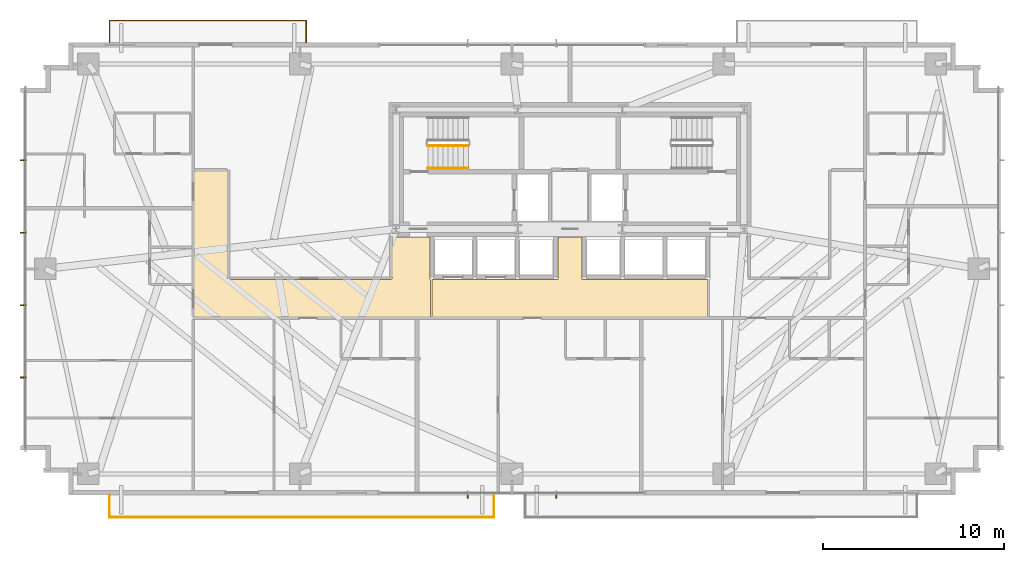
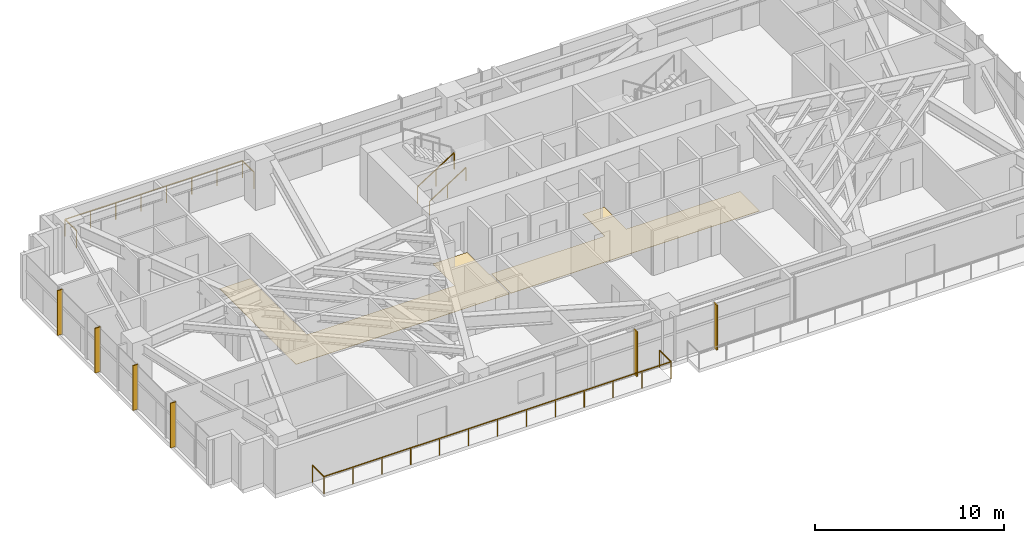
# One storey, part 23 of 25: 6 shading devices, 4 railings, 2 coverings.
"""IFC4 building model written with IfcOpenShell, lengths in metres."""

from ifc_helpers import new_model, si_unit, direction, frame, origin, origin_2d, place, context, subcontext, project, spatial, polyline, rectangle, outline, extrude, source, transform, mapped, material, layer, layer_set, type_object, type_shapes, element, save


model = new_model("IFC4")

# Units and contexts
model_context = context("Model", 3, precision=1e-05, world=origin(), true_north=direction((0.0, 1.0)))
body_context = subcontext(model_context, "Body", "Model", "MODEL_VIEW")
ifc_project = project(units=[si_unit("LENGTHUNIT", "METRE"), si_unit("AREAUNIT", "SQUARE_METRE"), si_unit("VOLUMEUNIT", "CUBIC_METRE"), si_unit("PLANEANGLEUNIT", "RADIAN"), si_unit("MASSUNIT", "GRAM", prefix="KILO")], contexts=[model_context])

# Site, building, storey
site_placement = place(None, origin())
site = spatial("IfcSite", under=ifc_project, at=site_placement, CompositionType="ELEMENT")
building_placement = place(site_placement, origin())
building = spatial("IfcBuilding", under=site, at=building_placement, Name="Astriad Promenade Condominiums", CompositionType="ELEMENT")
storey_placement = place(building_placement, frame((0.0, 0.0, 64.60009765625)))
storey = spatial("IfcBuildingStorey", under=building, at=storey_placement, Name="L18", CompositionType="ELEMENT", Elevation=64.60009765625)

# Coverings
ifc_material_1 = material(Name="Polished Lakefront Terrazzo Flooring")
ifc_layer = layer(ifc_material_1, 0.02001953125)
ifc_layer_set = layer_set([ifc_layer], Name="Polished Lakefront Terrazzo Flooring")
covering_type = type_object("IfcCoveringType", Name="COV-FLOR-TERRAZZO-20", PredefinedType="FLOORING", material=ifc_layer_set)
covering_1_placement = place(storey_placement, origin())
element("IfcCovering", 1, at=covering_1_placement, inside=storey, type_object=covering_type, Name="FLR-L18-LLB", PredefinedType="FLOORING", context=body_context, shape_type="SweptSolid", body=[
    extrude(outline(polyline([(43.610107421875, 14.610107421875), (43.610107421875, 12.530029296875), (28.389892578125, 12.530029296875), (28.389892578125, 14.610107421875), (35.300048828125, 14.610107421875), (35.303955078125, 14.610107421875), (35.307861328125, 14.61083984375), (35.3115234375, 14.61181640625), (35.315185546875, 14.613037109375), (35.31884765625, 14.61474609375), (35.322265625, 14.61669921875), (35.325439453125, 14.619140625), (35.328369140625, 14.62158203125), (35.330810546875, 14.62451171875), (35.333251953125, 14.627685546875), (35.335205078125, 14.631103515625), (35.3369140625, 14.634765625), (35.33837890625, 14.638427734375), (35.339111328125, 14.64208984375), (35.33984375, 14.64599609375), (35.340087890625, 14.64990234375), (35.340087890625, 16.9599609375), (36.659912109375, 16.9599609375), (36.659912109375, 14.64990234375), (36.66015625, 14.64599609375), (36.660888671875, 14.64208984375), (36.66162109375, 14.638427734375), (36.6630859375, 14.634765625), (36.664794921875, 14.631103515625), (36.666748046875, 14.627685546875), (36.669189453125, 14.62451171875), (36.671630859375, 14.62158203125), (36.674560546875, 14.619140625), (36.677734375, 14.61669921875), (36.68115234375, 14.61474609375), (36.684814453125, 14.613037109375), (36.6884765625, 14.61181640625), (36.692138671875, 14.61083984375), (36.696044921875, 14.610107421875), (36.699951171875, 14.610107421875), (43.610107421875, 14.610107421875)])), origin(), (0.0, 0.0, 1.0), 0.02001953125),
])
covering_2_placement = place(storey_placement, origin())
element("IfcCovering", 2, at=covering_2_placement, inside=storey, type_object=covering_type, Name="FLR-L18-COR-2", PredefinedType="FLOORING", context=body_context, shape_type="SweptSolid", body=[
    extrude(outline(polyline([(28.300048828125, 12.530029296875), (15.239990234375, 12.530029296875), (15.239990234375, 20.610107421875), (17.110107421875, 20.610107421875), (17.110107421875, 14.659912109375), (17.110107421875, 14.656005859375), (17.11083984375, 14.652099609375), (17.11181640625, 14.6484375), (17.113037109375, 14.644775390625), (17.11474609375, 14.64111328125), (17.11669921875, 14.6376953125), (17.119140625, 14.634521484375), (17.12158203125, 14.631591796875), (17.12451171875, 14.629150390625), (17.127685546875, 14.626708984375), (17.131103515625, 14.624755859375), (17.134765625, 14.623046875), (17.138427734375, 14.62158203125), (17.14208984375, 14.620849609375), (17.14599609375, 14.6201171875), (17.14990234375, 14.6201171875), (26.1201171875, 14.6201171875), (26.123779296875, 14.6201171875), (26.127685546875, 14.620849609375), (26.131591796875, 14.62158203125), (26.13525390625, 14.623046875), (26.138916015625, 14.624755859375), (26.14208984375, 14.626708984375), (26.1455078125, 14.629150390625), (26.148193359375, 14.631591796875), (26.15087890625, 14.634521484375), (26.1533203125, 14.6376953125), (26.1552734375, 14.64111328125), (26.156982421875, 14.644775390625), (26.158203125, 14.6484375), (26.1591796875, 14.652099609375), (26.159912109375, 14.656005859375), (26.159912109375, 14.659912109375), (26.159912109375, 16.9599609375), (28.260009765625, 16.9599609375), (28.260009765625, 14.64990234375), (28.26025390625, 14.64599609375), (28.2607421875, 14.64208984375), (28.26171875, 14.638427734375), (28.262939453125, 14.634765625), (28.2646484375, 14.631103515625), (28.2666015625, 14.627685546875), (28.26904296875, 14.62451171875), (28.271728515625, 14.62158203125), (28.274658203125, 14.619140625), (28.27783203125, 14.61669921875), (28.281005859375, 14.61474609375), (28.28466796875, 14.613037109375), (28.288330078125, 14.61181640625), (28.292236328125, 14.61083984375), (28.296142578125, 14.610107421875), (28.300048828125, 14.610107421875), (28.300048828125, 12.530029296875)])), origin(), (0.0, 0.0, 1.0), 0.02001953125),
])

# Railings
ifc_material_2 = material(Name="Laminated Glass and Stainless Steel Balustrade", Category="steel")
railing_type_1 = type_object("IfcRailingType", Name="GRD-BALC-1120", PredefinedType="BALUSTRADE", material=ifc_material_2)
shared_shape_1 = source(origin(), body_context, "Body", "SweptSolid", [
    extrude(rectangle(XDim=0.048095703125, YDim=0.048095703125, at=origin_2d()), frame((0.0, 0.0, 1.09619140625), z_axis=(0.0, -1.0, 0.0), x_axis=(1.0, 0.0, 0.0)), (0.0, 0.0, 1.0), 1.219970703125),
    extrude(rectangle(XDim=0.048095703125, YDim=0.048095703125, at=origin_2d()), frame((0.0, -1.219970703125, 1.09619140625), z_axis=(1.0, 0.0, 0.0), x_axis=(0.0, 1.0, 0.0)), (0.0, 0.0, 1.0), 21.23291015625),
    extrude(rectangle(XDim=0.048095703125, YDim=0.048095703125, at=origin_2d()), frame((21.23291015625, -1.219970703125, 1.09619140625), z_axis=(0.0, 1.0, 0.0), x_axis=(-1.0, 0.0, 0.0)), (0.0, 0.0, 1.0), 1.219970703125),
    extrude(rectangle(XDim=0.0419921875, YDim=0.0419921875, at=origin_2d()), origin(), (0.0, 0.0, 1.0), 1.072021484375),
    extrude(rectangle(XDim=0.0419921875, YDim=0.0419921875, at=origin_2d()), frame((0.0, -1.219970703125, 0.0)), (0.0, 0.0, 1.0), 1.072021484375),
    extrude(rectangle(XDim=0.0419921875, YDim=0.0419921875, at=origin_2d()), frame((1.76953125, -1.219970703125, 0.0)), (0.0, 0.0, 1.0), 1.072021484375),
    extrude(rectangle(XDim=0.0419921875, YDim=0.0419921875, at=origin_2d()), frame((3.538818359375, -1.219970703125, 0.0)), (0.0, 0.0, 1.0), 1.072021484375),
    extrude(rectangle(XDim=0.0419921875, YDim=0.0419921875, at=origin_2d()), frame((5.30810546875, -1.219970703125, 0.0)), (0.0, 0.0, 1.0), 1.072021484375),
    extrude(rectangle(XDim=0.0419921875, YDim=0.0419921875, at=origin_2d()), frame((7.07763671875, -1.219970703125, 0.0)), (0.0, 0.0, 1.0), 1.072021484375),
    extrude(rectangle(XDim=0.0419921875, YDim=0.0419921875, at=origin_2d()), frame((8.84716796875, -1.219970703125, 0.0)), (0.0, 0.0, 1.0), 1.072021484375),
    extrude(rectangle(XDim=0.0419921875, YDim=0.0419921875, at=origin_2d()), frame((10.616455078125, -1.219970703125, 0.0)), (0.0, 0.0, 1.0), 1.072021484375),
    extrude(rectangle(XDim=0.0419921875, YDim=0.0419921875, at=origin_2d()), frame((12.3857421875, -1.219970703125, 0.0)), (0.0, 0.0, 1.0), 1.072021484375),
    extrude(rectangle(XDim=0.0419921875, YDim=0.0419921875, at=origin_2d()), frame((14.1552734375, -1.219970703125, 0.0)), (0.0, 0.0, 1.0), 1.072021484375),
    extrude(rectangle(XDim=0.0419921875, YDim=0.0419921875, at=origin_2d()), frame((15.9248046875, -1.219970703125, 0.0)), (0.0, 0.0, 1.0), 1.072021484375),
    extrude(rectangle(XDim=0.0419921875, YDim=0.0419921875, at=origin_2d()), frame((17.694091796875, -1.219970703125, 0.0)), (0.0, 0.0, 1.0), 1.072021484375),
    extrude(rectangle(XDim=0.0419921875, YDim=0.0419921875, at=origin_2d()), frame((19.46337890625, -1.219970703125, 0.0)), (0.0, 0.0, 1.0), 1.072021484375),
    extrude(rectangle(XDim=0.0419921875, YDim=0.0419921875, at=origin_2d()), frame((21.23291015625, -1.219970703125, 0.0)), (0.0, 0.0, 1.0), 1.072021484375),
    extrude(rectangle(XDim=0.0419921875, YDim=0.0419921875, at=origin_2d()), frame((21.23291015625, 0.0, 0.0)), (0.0, 0.0, 1.0), 1.072021484375),
])
railing_1_placement = place(storey_placement, frame((10.572998046875, 2.699951171875, 0.0)))
element("IfcRailing", 3, at=railing_1_placement, inside=storey, type_object=railing_type_1, Name="GRD-BALC-L18-SW", PredefinedType="BALUSTRADE", context=body_context, shape_type="MappedRepresentation", body=[
    mapped(shared_shape_1, transform((0.0, 0.0, 0.0), scale=1.0)),
])
shared_shape_2 = source(origin(), body_context, "Body", "SweptSolid", [
    extrude(rectangle(XDim=0.048095703125, YDim=0.048095703125, at=origin_2d()), frame((0.0, 0.0, 1.09619140625), z_axis=(0.0, 1.0, 0.0), x_axis=(-1.0, 0.0, 0.0)), (0.0, 0.0, 1.0), 1.219970703125),
    extrude(rectangle(XDim=0.048095703125, YDim=0.048095703125, at=origin_2d()), frame((0.0, 1.219970703125, 1.09619140625), z_axis=(-1.0, 0.0, 0.0), x_axis=(0.0, -1.0, 0.0)), (0.0, 0.0, 1.0), 10.85693359375),
    extrude(rectangle(XDim=0.048095703125, YDim=0.048095703125, at=origin_2d()), frame((-10.85693359375, 1.219970703125, 1.09619140625), z_axis=(0.0, -1.0, 0.0), x_axis=(1.0, 0.0, 0.0)), (0.0, 0.0, 1.0), 1.219970703125),
    extrude(rectangle(XDim=0.0419921875, YDim=0.0419921875, at=origin_2d()), origin(), (0.0, 0.0, 1.0), 1.072021484375),
    extrude(rectangle(XDim=0.0419921875, YDim=0.0419921875, at=origin_2d()), frame((0.0, 1.219970703125, 0.0)), (0.0, 0.0, 1.0), 1.072021484375),
    extrude(rectangle(XDim=0.0419921875, YDim=0.0419921875, at=origin_2d()), frame((-1.551025390625, 1.219970703125, 0.0)), (0.0, 0.0, 1.0), 1.072021484375),
    extrude(rectangle(XDim=0.0419921875, YDim=0.0419921875, at=origin_2d()), frame((-3.10205078125, 1.219970703125, 0.0)), (0.0, 0.0, 1.0), 1.072021484375),
    extrude(rectangle(XDim=0.0419921875, YDim=0.0419921875, at=origin_2d()), frame((-4.653076171875, 1.219970703125, 0.0)), (0.0, 0.0, 1.0), 1.072021484375),
    extrude(rectangle(XDim=0.0419921875, YDim=0.0419921875, at=origin_2d()), frame((-6.203857421875, 1.219970703125, 0.0)), (0.0, 0.0, 1.0), 1.072021484375),
    extrude(rectangle(XDim=0.0419921875, YDim=0.0419921875, at=origin_2d()), frame((-7.7548828125, 1.219970703125, 0.0)), (0.0, 0.0, 1.0), 1.072021484375),
    extrude(rectangle(XDim=0.0419921875, YDim=0.0419921875, at=origin_2d()), frame((-9.305908203125, 1.219970703125, 0.0)), (0.0, 0.0, 1.0), 1.072021484375),
    extrude(rectangle(XDim=0.0419921875, YDim=0.0419921875, at=origin_2d()), frame((-10.85693359375, 1.219970703125, 0.0)), (0.0, 0.0, 1.0), 1.072021484375),
    extrude(rectangle(XDim=0.0419921875, YDim=0.0419921875, at=origin_2d()), frame((-10.85693359375, 0.0, 0.0)), (0.0, 0.0, 1.0), 1.072021484375),
])
type_shapes(railing_type_1, [shared_shape_1, shared_shape_2])
railing_2_placement = place(storey_placement, frame((21.429931640625, 27.699951171875, 0.0)))
element("IfcRailing", 4, at=railing_2_placement, inside=storey, type_object=railing_type_1, Name="GRD-BALC-L18-NW", PredefinedType="BALUSTRADE", context=body_context, shape_type="MappedRepresentation", body=[
    mapped(shared_shape_2, transform((0.0, 0.0, 0.0), scale=1.0)),
])

# Shading devices
ifc_material_3 = material(Name="Anodised aluminium 6063-T6 Black Fin", Category="aluminium")
shading_device_type = type_object("IfcShadingDeviceType", Name="FIN-BLACK-320", PredefinedType="USERDEFINED", material=ifc_material_3)
shared_shape_3 = source(origin(), body_context, "Body", "SweptSolid", [
    extrude(rectangle(XDim=0.06494140625, YDim=0.320068359375, at=origin_2d()), origin(), (0.0, 0.0, 1.0), 2.89990234375),
])
type_shapes(shading_device_type, [shared_shape_3])
for number, where, z_axis, x_axis, name in (
    (5, (5.7900390625, 9.199951171875, 0.0), (0.0, 0.0, 1.0), (0.0, 1.0, 0.0), "CW-L18-W-FIN-01"),
    (6, (5.7900390625, 13.199951171875, 0.0), (0.0, 0.0, 1.0), (0.0, 1.0, 0.0), "CW-L18-W-FIN-02"),
    (7, (5.7900390625, 17.199951171875, 0.0), (0.0, 0.0, 1.0), (0.0, 1.0, 0.0), "CW-L18-W-FIN-03"),
    (8, (5.7900390625, 21.199951171875, 0.0), (0.0, 0.0, 1.0), (0.0, 1.0, 0.0), "CW-L18-W-FIN-04"),
    (9, (35.25, 2.68994140625, 0.0), (0.0, 0.0, 1.0), (-1.0, 0.0, 0.0), "CW-L18-S-FIN-01"),
    (10, (30.35009765625, 2.68994140625, 0.0), (0.0, 0.0, 1.0), (-1.0, 0.0, 0.0), "CW-L18-S-FIN-02"),
):
    element("IfcShadingDevice", number, at=place(storey_placement, frame(where, z_axis=z_axis, x_axis=x_axis)), inside=storey, type_object=shading_device_type, Name=name, ObjectType="FIN", PredefinedType="USERDEFINED", context=body_context, shape_type="MappedRepresentation", body=[
        mapped(shared_shape_3, transform((0.0, 0.0, 0.0), scale=1.0)),
    ])

# Railings
ifc_material_4 = material(Name="Painted Galvanised Steel Guardrail", Category="steel")
railing_type_2 = type_object("IfcRailingType", Name="GRD-STAIR-1100", PredefinedType="GUARDRAIL", material=ifc_material_4)
shared_shape_4 = source(origin(), body_context, "Body", "SweptSolid", [
    extrude(rectangle(XDim=0.048095703125, YDim=0.048095703125, at=origin_2d()), frame((0.0, 0.0, 1.076171875), z_axis=(0.8442293374, 0.0, 0.53598211339), x_axis=(0.0, 1.0, 0.0)), (0.0, 0.0, 1.0), 2.6533203125),
    extrude(rectangle(XDim=0.0419921875, YDim=0.0419921875, at=origin_2d()), origin(), (0.0, 0.0, 1.0), 1.052001953125),
    extrude(rectangle(XDim=0.0419921875, YDim=0.0419921875, at=origin_2d()), frame((1.1201171875, 0.0, 0.7109375)), (0.0, 0.0, 1.0), 1.052001953125),
    extrude(rectangle(XDim=0.0419921875, YDim=0.0419921875, at=origin_2d()), frame((2.239990234375, 0.0, 1.422119140625)), (0.0, 0.0, 1.0), 1.052001953125),
])
type_shapes(railing_type_2, [shared_shape_4])
railing_3_placement = place(storey_placement, frame((28.14990234375, 22.0, 0.177734375)))
element("IfcRailing", 11, at=railing_3_placement, inside=storey, type_object=railing_type_2, Name="L18 ST-1 stair guard 1", PredefinedType="GUARDRAIL", context=body_context, shape_type="MappedRepresentation", body=[
    mapped(shared_shape_4, transform((0.0, 0.0, 0.0), scale=1.0)),
])
ifc_material_5 = material(Name="Brushed Stainless Steel Handrail", Category="steel")
railing_type_3 = type_object("IfcRailingType", Name="HRL-STAIR-920", PredefinedType="HANDRAIL", material=ifc_material_5)
shared_shape_5 = source(origin(), body_context, "Body", "SweptSolid", [
    extrude(rectangle(XDim=0.048095703125, YDim=0.048095703125, at=origin_2d()), frame((0.0, 0.0, 0.8759765625), z_axis=(0.8442293374, 0.0, 0.53598211339), x_axis=(0.0, 1.0, 0.0)), (0.0, 0.0, 1.0), 2.6533203125),
    extrude(rectangle(XDim=0.0419921875, YDim=0.0419921875, at=origin_2d()), origin(), (0.0, 0.0, 1.0), 0.851806640625),
    extrude(rectangle(XDim=0.0419921875, YDim=0.0419921875, at=origin_2d()), frame((1.1201171875, 0.0, 0.7109375)), (0.0, 0.0, 1.0), 0.851806640625),
    extrude(rectangle(XDim=0.0419921875, YDim=0.0419921875, at=origin_2d()), frame((2.239990234375, 0.0, 1.422119140625)), (0.0, 0.0, 1.0), 0.851806640625),
])
type_shapes(railing_type_3, [shared_shape_5])
railing_4_placement = place(storey_placement, frame((28.14990234375, 20.75, 0.177734375)))
element("IfcRailing", 12, at=railing_4_placement, inside=storey, type_object=railing_type_3, Name="L18 ST-1 stair handrail 1", PredefinedType="HANDRAIL", context=body_context, shape_type="MappedRepresentation", body=[
    mapped(shared_shape_5, transform((0.0, 0.0, 0.0), scale=1.0)),
])

save(model, "model.ifc")
